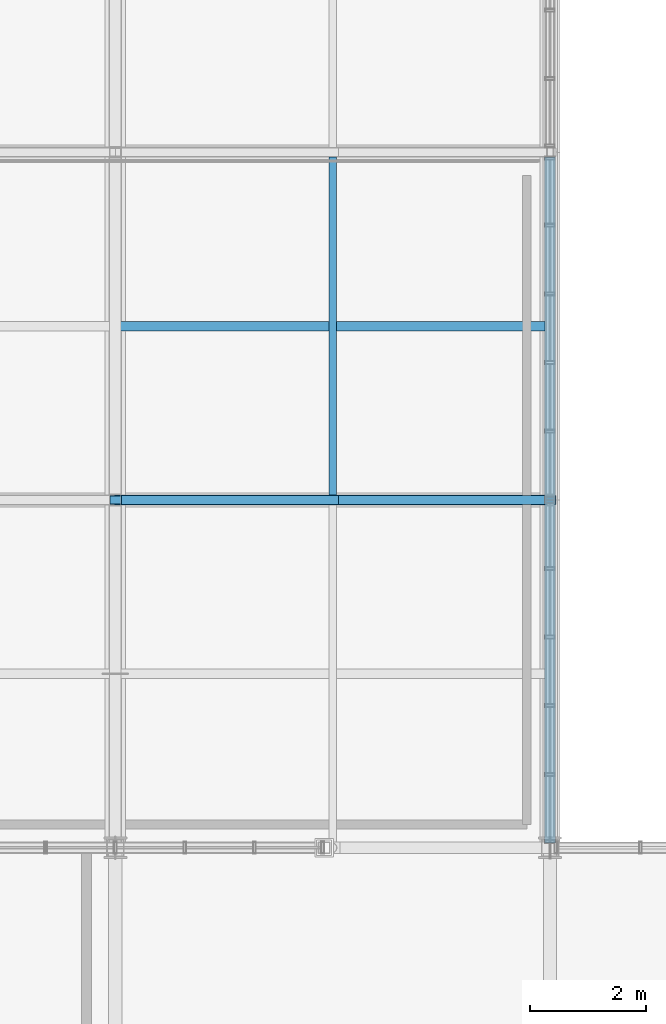
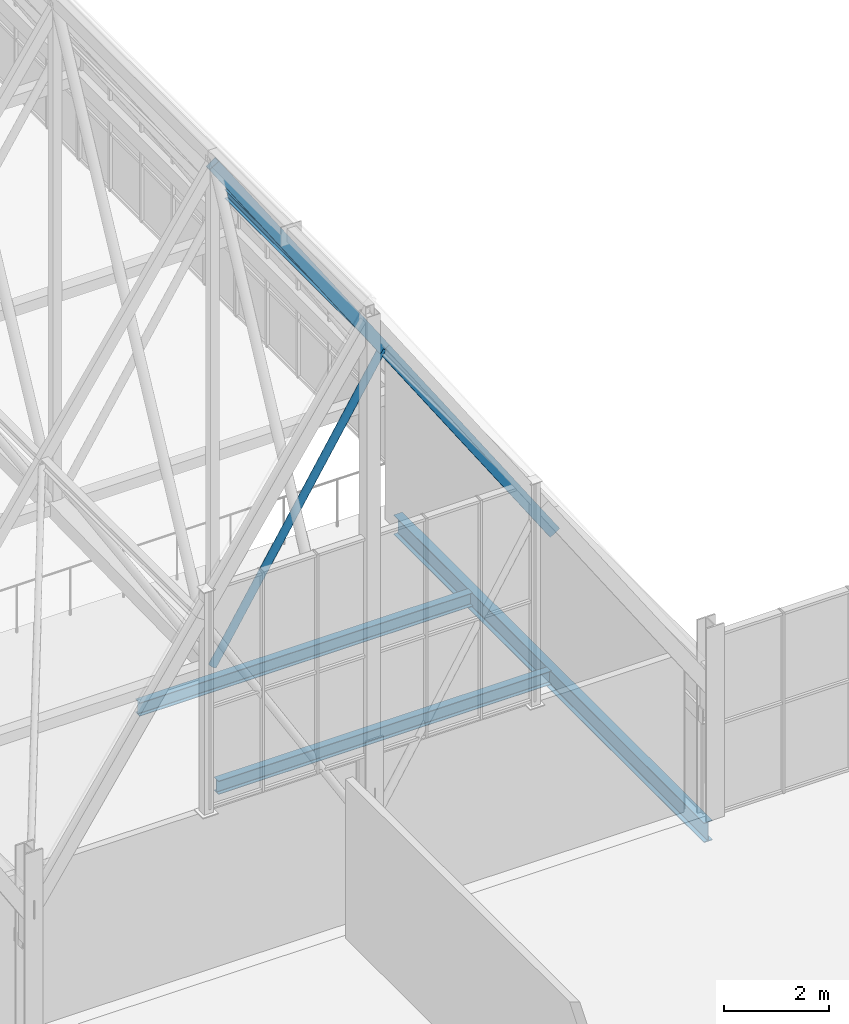
# One storey, part 217 of 324: 4 beams, 3 members.
"""IFC4 building model written with IfcOpenShell, lengths in metres."""

from ifc_helpers import new_model, si_unit, direction, frame, origin, origin_2d, place, context, subcontext, project, spatial, hollow_rectangle, hollow_circle, i_section, extrude, material, material_profile, profile_set, type_object, element, save


model = new_model("IFC4")

# Units and contexts
model_context = context("Model", 3, precision=1e-05, world=origin(), true_north=direction((0.0, 1.0)))
body_context = subcontext(model_context, "Body", "Model", "MODEL_VIEW")
ifc_project = project(units=[si_unit("LENGTHUNIT", "METRE"), si_unit("AREAUNIT", "SQUARE_METRE"), si_unit("VOLUMEUNIT", "CUBIC_METRE"), si_unit("PLANEANGLEUNIT", "RADIAN"), si_unit("MASSUNIT", "GRAM", prefix="KILO")], contexts=[model_context])

# Site, building, storey
site_placement = place(None, origin())
site = spatial("IfcSite", under=ifc_project, at=site_placement, CompositionType="ELEMENT")
building_placement = place(site_placement, origin())
building = spatial("IfcBuilding", under=site, at=building_placement, Name="Solvenia Promenade Tram Depot", CompositionType="ELEMENT")
storey_placement = place(building_placement, frame((0.0, 0.0, 4.5)))
storey = spatial("IfcBuildingStorey", under=building, at=storey_placement, Name="L01", CompositionType="ELEMENT", Elevation=4.5)

# Beam
ifc_material_1 = material(Name="Structural steel ASTM A992 Gr. 50", Category="steel")
ifc_material_profile_1 = material_profile(ifc_material_1, i_section(OverallWidth=0.19091796875, OverallDepth=0.4599609375, WebThickness=0.010009765625, FlangeThickness=0.01611328125, FilletRadius=0.012939453125, at=origin_2d()), Name="W460x82", Category="steel")
ifc_profile_set_1 = profile_set([ifc_material_profile_1], Name="Structural steel ASTM A992 Gr. 50")
beam_type_1 = type_object("IfcBeamType", Name="Beam-W460x82", PredefinedType="BEAM", material=ifc_profile_set_1)
beam_1_placement = place(storey_placement, frame((150.0, 66.0849609375, -0.449951171875), z_axis=(0.0, 1.0, 0.0), x_axis=(-1.0, 0.0, 0.0)))
element("IfcBeam", 1, at=beam_1_placement, inside=storey, type_object=beam_type_1, Name="Transverse Girder BM-L01-0061", PredefinedType="BEAM", context=body_context, shape_type="SweptSolid", body=[
    extrude(i_section(OverallWidth=0.19091796875, OverallDepth=0.4599609375, WebThickness=0.010009765625, FlangeThickness=0.01611328125, FilletRadius=0.012939453125, at=origin_2d()), origin(), (0.0, 0.0, 1.0), 11.830078125),
])

# Members
ifc_material_2 = material(Name="Structural steel ASTM A500 Gr. C", Category="steel")
ifc_material_profile_2 = material_profile(ifc_material_2, hollow_rectangle(XDim=0.14990234375, YDim=0.25, WallThickness=0.010009765625, at=origin_2d()), Name="HSS250x150x10", Category="steel")
ifc_profile_set_2 = profile_set([ifc_material_profile_2], Name="Structural steel ASTM A500 Gr. C")
member_type_1 = type_object("IfcMemberType", Name="Chord-HSS250x150x10", PredefinedType="CHORD", material=ifc_profile_set_2)
for number, where, z_axis, x_axis, name in (
    (2, (142.5, 72.0, 14.132080078125), (0.557259486914, 0.0, -0.83033840345), (0.0, 1.0, 0.0), "Zigzag Gable 10 East Upper Rafter"),
    (3, (146.25, 72.0, 8.54443359375), (0.557276274528, 0.0, -0.830327136644), (0.0, 1.0, 0.0), "Zigzag Gable 10 East Lower Rafter"),
):
    element("IfcMember", number, at=place(storey_placement, frame(where, z_axis=z_axis, x_axis=x_axis)), inside=storey, type_object=member_type_1, Name=name, PredefinedType="CHORD", context=body_context, shape_type="SweptSolid", body=[
        extrude(hollow_rectangle(XDim=0.14990234375, YDim=0.25, WallThickness=0.010009765625, at=origin_2d()), origin(), (0.0, 0.0, 1.0), 6.729248046875),
    ])

# Beams
ifc_material_profile_3 = material_profile(ifc_material_1, i_section(OverallWidth=0.166015625, OverallDepth=0.31298828125, WebThickness=0.006591796875, FlangeThickness=0.01123046875, FilletRadius=0.010009765625, at=origin_2d()), Name="W310x45", Category="steel")
ifc_profile_set_3 = profile_set([ifc_material_profile_3], Name="Structural steel ASTM A992 Gr. 50")
beam_type_2 = type_object("IfcBeamType", Name="Joist-W310x45", PredefinedType="JOIST", material=ifc_profile_set_3)
for number, where, z_axis, x_axis, name in (
    (4, (142.5849609375, 72.0, -0.37646484375), (1.0, 0.0, 0.0), (0.0, 1.0, 0.0), "Secondary Floor Joist BM-L01-0118"),
    (5, (142.5849609375, 75.0, -0.37646484375), (1.0, 0.0, 0.0), (0.0, 1.0, 0.0), "Secondary Floor Joist BM-L01-0119"),
):
    element("IfcBeam", number, at=place(storey_placement, frame(where, z_axis=z_axis, x_axis=x_axis)), inside=storey, type_object=beam_type_2, Name=name, PredefinedType="JOIST", context=body_context, shape_type="SweptSolid", body=[
        extrude(i_section(OverallWidth=0.166015625, OverallDepth=0.31298828125, WebThickness=0.006591796875, FlangeThickness=0.01123046875, FilletRadius=0.010009765625, at=origin_2d()), origin(), (0.0, 0.0, 1.0), 7.330078125),
    ])
ifc_material_profile_4 = material_profile(ifc_material_1, i_section(OverallWidth=0.133056640625, OverallDepth=0.20703125, WebThickness=0.005859375, FlangeThickness=0.00830078125, FilletRadius=0.009033203125, at=origin_2d()), Name="W200x27", Category="steel")
ifc_profile_set_4 = profile_set([ifc_material_profile_4], Name="Structural steel ASTM A992 Gr. 50")
beam_type_3 = type_object("IfcBeamType", Name="Purlin-W200x27", PredefinedType="USERDEFINED", material=ifc_profile_set_4)
beam_2_placement = place(storey_placement, frame((146.25, 72.0849609375, 8.551025390625), z_axis=(0.0, 1.0, 0.0), x_axis=(-1.0, 0.0, 0.0)))
element("IfcBeam", 6, at=beam_2_placement, inside=storey, type_object=beam_type_3, Name="Gable Roof Purlin E-0184", ObjectType="PURLIN", PredefinedType="USERDEFINED", context=body_context, shape_type="SweptSolid", body=[
    extrude(i_section(OverallWidth=0.133056640625, OverallDepth=0.20703125, WebThickness=0.005859375, FlangeThickness=0.00830078125, FilletRadius=0.009033203125, at=origin_2d()), origin(), (0.0, 0.0, 1.0), 5.830078125),
])

# Member
ifc_material_profile_5 = material_profile(ifc_material_2, hollow_circle(Radius=0.084228515625, WallThickness=0.008056640625, at=origin_2d()), Name="CHS168.3x8", Category="steel")
ifc_profile_set_5 = profile_set([ifc_material_profile_5], Name="Structural steel ASTM A500 Gr. C")
member_type_2 = type_object("IfcMemberType", Name="WebDiag-CHS168x8", PredefinedType="BRACE", material=ifc_profile_set_5)
member_placement = place(storey_placement, frame((142.5, 72.0, 2.446044921875), z_axis=(0.523808186258, 0.0, 0.851836242484), x_axis=(0.0, 1.0, 0.0)))
element("IfcMember", 7, at=member_placement, inside=storey, type_object=member_type_2, Name="Zigzag Gable 10 East Knee Strut", PredefinedType="BRACE", context=body_context, shape_type="SweptSolid", body=[
    extrude(hollow_circle(Radius=0.084228515625, WallThickness=0.008056640625, at=origin_2d()), origin(), (0.0, 0.0, 1.0), 7.1591796875),
])

save(model, "model.ifc")
